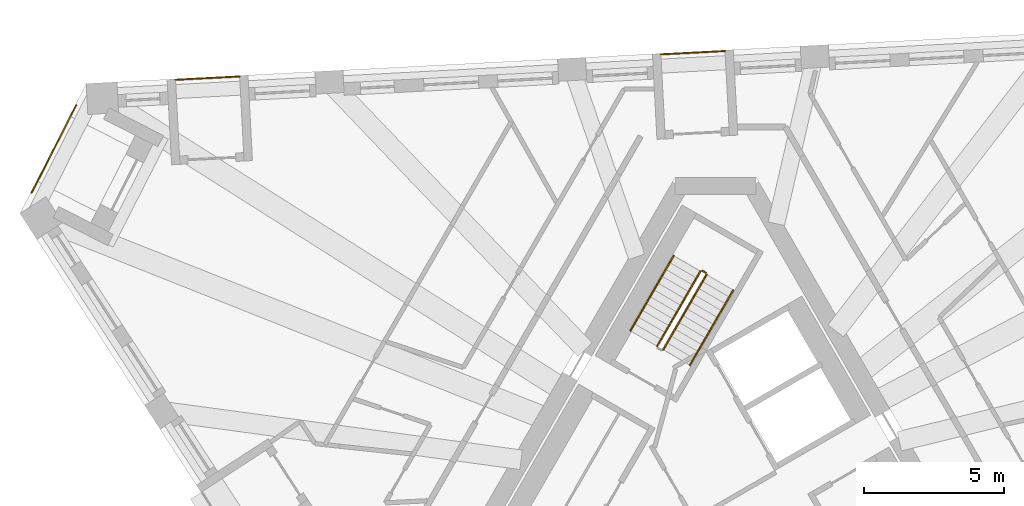
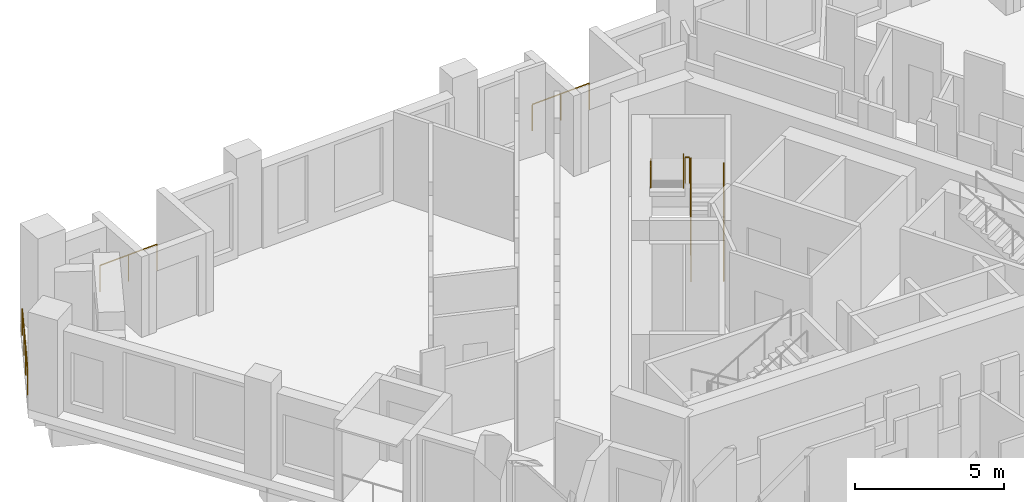
# One storey, part 11 of 12: 8 railings.
"""IFC4 building model written with IfcOpenShell, lengths in metres."""

from ifc_helpers import new_model, si_unit, direction, frame, origin, origin_2d, place, context, subcontext, project, spatial, circle, extrude, material, type_object, element, save


model = new_model("IFC4")

# Units and contexts
model_context = context("Model", 3, precision=1e-05, world=origin(), true_north=direction((0.0, 1.0)))
body_context = subcontext(model_context, "Body", "Model", "MODEL_VIEW")
ifc_project = project(units=[si_unit("LENGTHUNIT", "METRE"), si_unit("AREAUNIT", "SQUARE_METRE"), si_unit("VOLUMEUNIT", "CUBIC_METRE"), si_unit("PLANEANGLEUNIT", "RADIAN"), si_unit("MASSUNIT", "GRAM", prefix="KILO")], contexts=[model_context])

# Site, building, storey
site_placement = place(None, origin())
site = spatial("IfcSite", under=ifc_project, at=site_placement, CompositionType="ELEMENT")
building_placement = place(site_placement, origin())
building = spatial("IfcBuilding", under=site, at=building_placement, Name="Tramontana Tower", CompositionType="ELEMENT")
storey_placement = place(building_placement, frame((0.0, 0.0, 298.39990234375)))
storey = spatial("IfcBuildingStorey", under=building, at=storey_placement, Name="L70", CompositionType="ELEMENT", Elevation=298.39990234375)

# Railings
ifc_material_1 = material(Name="Laminated glass balustrade", Category="glass")
railing_type_1 = type_object("IfcRailingType", Name="GD1 Loggia glass balustrade 1100", PredefinedType="BALUSTRADE", material=ifc_material_1)
for number, where, name in (
    (1, (0.332275390625, 15.508544921875, 0.0), "Loggia balustrade L70 G7S2.7"),
    (2, (-16.964599609375, 14.60205078125, 0.0), "Loggia balustrade L70 G7S2.13"),
):
    element("IfcRailing", number, at=place(storey_placement, frame(where)), inside=storey, type_object=railing_type_1, Name=name, PredefinedType="BALUSTRADE", context=body_context, shape_type="SweptSolid", body=[
        extrude(circle(Radius=0.02392578125, at=origin_2d()), frame((0.0, 0.0, 1.076171875), z_axis=(-0.998630775221, -0.052312281362, 0.0), x_axis=(0.052312281362, -0.998630775221, 0.0)), (0.0, 0.0, 1.0), 2.286865234375),
        extrude(circle(Radius=0.02099609375, at=origin_2d()), origin(), (0.0, 0.0, 1.0), 1.052001953125),
        extrude(circle(Radius=0.02099609375, at=origin_2d()), frame((-1.141845703125, -0.059814453125, 0.0)), (0.0, 0.0, 1.0), 1.052001953125),
        extrude(circle(Radius=0.02099609375, at=origin_2d()), frame((-2.28369140625, -0.11962890625, 0.0)), (0.0, 0.0, 1.0), 1.052001953125),
    ])
railing_1_placement = place(storey_placement, frame((-24.37939453125, 10.457763671875, 0.0)))
element("IfcRailing", 3, at=railing_1_placement, inside=storey, type_object=railing_type_1, Name="Corner loggia balustrade L70 K70", PredefinedType="BALUSTRADE", context=body_context, shape_type="SweptSolid", body=[
    extrude(circle(Radius=0.02392578125, at=origin_2d()), frame((0.0, 0.0, 1.076171875), z_axis=(0.453952949021, 0.891025656238, 0.0), x_axis=(-0.891025656238, 0.453952949021, 0.0)), (0.0, 0.0, 1.0), 3.5),
    extrude(circle(Radius=0.02099609375, at=origin_2d()), origin(), (0.0, 0.0, 1.0), 1.052001953125),
    extrude(circle(Radius=0.02099609375, at=origin_2d()), frame((0.529541015625, 1.03955078125, 0.0)), (0.0, 0.0, 1.0), 1.052001953125),
    extrude(circle(Radius=0.02099609375, at=origin_2d()), frame((1.059326171875, 2.0791015625, 0.0)), (0.0, 0.0, 1.0), 1.052001953125),
    extrude(circle(Radius=0.02099609375, at=origin_2d()), frame((1.5888671875, 3.11865234375, 0.0)), (0.0, 0.0, 1.0), 1.052001953125),
])
ifc_material_2 = material(Name="Painted steel", Category="steel")
railing_type_2 = type_object("IfcRailingType", Name="STAIR GUARD 1100", PredefinedType="GUARDRAIL", material=ifc_material_2)
railing_2_placement = place(storey_placement, frame((-1.867431640625, 4.865478515625, 0.166748046875)))
element("IfcRailing", 4, at=railing_2_placement, inside=storey, type_object=railing_type_2, Name="L70 ST1 stair guard 1", PredefinedType="GUARDRAIL", context=body_context, shape_type="SweptSolid", body=[
    extrude(circle(Radius=0.02392578125, at=origin_2d()), frame((0.0, 0.0, 1.076171875), z_axis=(0.429649414936, 0.744189839504, 0.511451721109), x_axis=(-0.866029832698, 0.499992328818, 0.0)), (0.0, 0.0, 1.0), 3.58447265625),
    extrude(circle(Radius=0.02099609375, at=origin_2d()), origin(), (0.0, 0.0, 1.0), 1.052001953125),
    extrude(circle(Radius=0.02099609375, at=origin_2d()), frame((0.513427734375, 0.88916015625, 0.611083984375)), (0.0, 0.0, 1.0), 1.052001953125),
    extrude(circle(Radius=0.02099609375, at=origin_2d()), frame((1.026611328125, 1.7783203125, 1.22216796875)), (0.0, 0.0, 1.0), 1.052001953125),
    extrude(circle(Radius=0.02099609375, at=origin_2d()), frame((1.5400390625, 2.66748046875, 1.833251953125)), (0.0, 0.0, 1.0), 1.052001953125),
])
railing_3_placement = place(storey_placement, frame((-0.5439453125, 7.657958984375, 2.166748046875)))
element("IfcRailing", 5, at=railing_3_placement, inside=storey, type_object=railing_type_2, Name="L70 ST1 stair guard 2", PredefinedType="GUARDRAIL", context=body_context, shape_type="SweptSolid", body=[
    extrude(circle(Radius=0.02392578125, at=origin_2d()), frame((0.0, 0.0, 1.076171875), z_axis=(-0.429649414936, -0.744189839504, 0.511451721109), x_axis=(0.866029832698, -0.499992328818, 0.0)), (0.0, 0.0, 1.0), 3.58447265625),
    extrude(circle(Radius=0.02099609375, at=origin_2d()), origin(), (0.0, 0.0, 1.0), 1.052001953125),
    extrude(circle(Radius=0.02099609375, at=origin_2d()), frame((-0.513427734375, -0.88916015625, 0.611083984375)), (0.0, 0.0, 1.0), 1.052001953125),
    extrude(circle(Radius=0.02099609375, at=origin_2d()), frame((-1.026611328125, -1.7783203125, 1.22216796875)), (0.0, 0.0, 1.0), 1.052001953125),
    extrude(circle(Radius=0.02099609375, at=origin_2d()), frame((-1.5400390625, -2.66748046875, 1.833251953125)), (0.0, 0.0, 1.0), 1.052001953125),
])
railing_4_placement = place(storey_placement, frame((-0.345703125, 7.601318359375, 2.0)))
element("IfcRailing", 6, at=railing_4_placement, inside=storey, type_object=railing_type_2, Name="L70 ST1 stair guard 3", PredefinedType="GUARDRAIL", context=body_context, shape_type="SweptSolid", body=[
    extrude(circle(Radius=0.02392578125, at=origin_2d()), frame((0.0, 0.0, 1.076171875), z_axis=(-0.866131372301, 0.499816412211, 0.0), x_axis=(-0.499816412211, -0.866131372301, 0.0)), (0.0, 0.0, 1.0), 0.14990234375),
    extrude(circle(Radius=0.02099609375, at=origin_2d()), origin(), (0.0, 0.0, 1.0), 1.052001953125),
    extrude(circle(Radius=0.02099609375, at=origin_2d()), frame((-0.1298828125, 0.074951171875, 0.0)), (0.0, 0.0, 1.0), 1.052001953125),
])
ifc_material_3 = material(Name="Painted steel", Category="steel")
railing_type_3 = type_object("IfcRailingType", Name="STAIR HANDRAIL 900", PredefinedType="HANDRAIL", material=ifc_material_3)
railing_5_placement = place(storey_placement, frame((-0.914794921875, 4.315673828125, 0.166748046875)))
element("IfcRailing", 7, at=railing_5_placement, inside=storey, type_object=railing_type_3, Name="L70 ST1 stair handrail 1", PredefinedType="HANDRAIL", context=body_context, shape_type="SweptSolid", body=[
    extrude(circle(Radius=0.02392578125, at=origin_2d()), frame((0.0, 0.0, 0.8759765625), z_axis=(0.429671193721, 0.744159446956, 0.511477646425), x_axis=(-0.866010015463, 0.500026652407, 0.0)), (0.0, 0.0, 1.0), 3.584228515625),
    extrude(circle(Radius=0.02099609375, at=origin_2d()), origin(), (0.0, 0.0, 1.0), 0.851806640625),
    extrude(circle(Radius=0.02099609375, at=origin_2d()), frame((0.513427734375, 0.88916015625, 0.611083984375)), (0.0, 0.0, 1.0), 0.851806640625),
    extrude(circle(Radius=0.02099609375, at=origin_2d()), frame((1.026611328125, 1.778076171875, 1.22216796875)), (0.0, 0.0, 1.0), 0.851806640625),
    extrude(circle(Radius=0.02099609375, at=origin_2d()), frame((1.5400390625, 2.667236328125, 1.833251953125)), (0.0, 0.0, 1.0), 0.851806640625),
])
railing_6_placement = place(storey_placement, frame((-1.49658203125, 8.2080078125, 2.166748046875)))
element("IfcRailing", 8, at=railing_6_placement, inside=storey, type_object=railing_type_3, Name="L70 ST1 stair handrail 2", PredefinedType="HANDRAIL", context=body_context, shape_type="SweptSolid", body=[
    extrude(circle(Radius=0.02392578125, at=origin_2d()), frame((0.0, 0.0, 0.8759765625), z_axis=(-0.429649414936, -0.744189839504, 0.511451721109), x_axis=(0.866029832698, -0.499992328818, 0.0)), (0.0, 0.0, 1.0), 3.58447265625),
    extrude(circle(Radius=0.02099609375, at=origin_2d()), origin(), (0.0, 0.0, 1.0), 0.851806640625),
    extrude(circle(Radius=0.02099609375, at=origin_2d()), frame((-0.513427734375, -0.88916015625, 0.611083984375)), (0.0, 0.0, 1.0), 0.851806640625),
    extrude(circle(Radius=0.02099609375, at=origin_2d()), frame((-1.026611328125, -1.7783203125, 1.22216796875)), (0.0, 0.0, 1.0), 0.851806640625),
    extrude(circle(Radius=0.02099609375, at=origin_2d()), frame((-1.5400390625, -2.66748046875, 1.833251953125)), (0.0, 0.0, 1.0), 0.851806640625),
])

save(model, "model.ifc")
